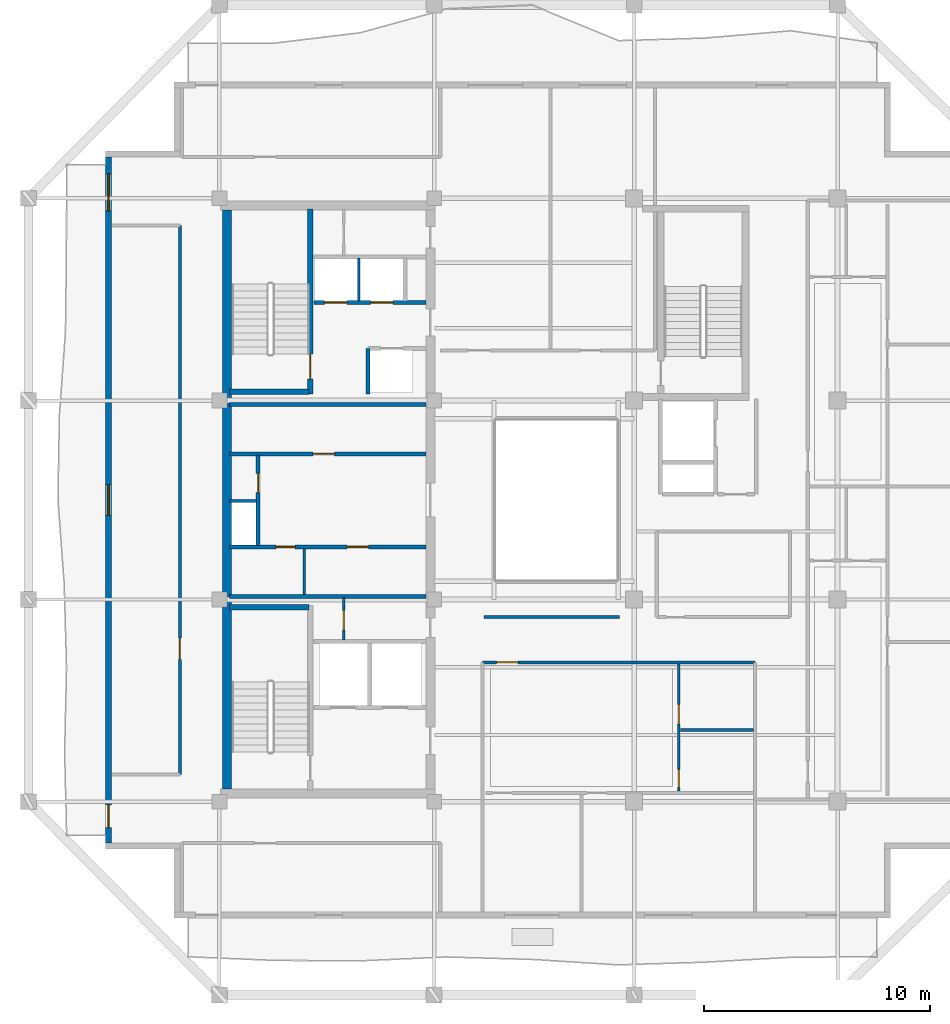
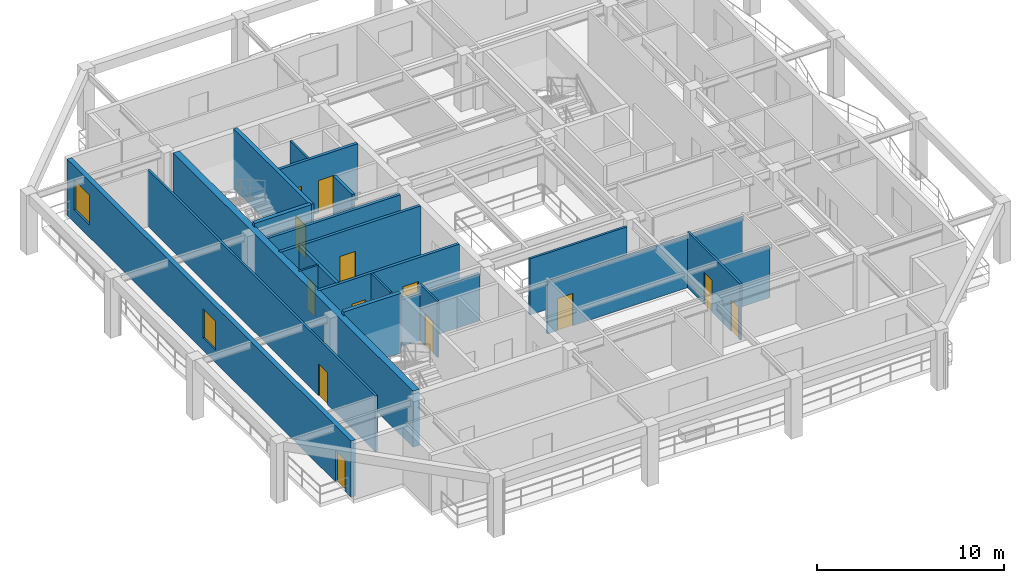
# One storey, part 3 of 10: 21 walls, 13 doors, 2 windows, 15 openings.
"""IFC4 building model written with IfcOpenShell, lengths in metres."""

import ifcopenshell
import ifcopenshell.guid

model = None  # the IFC model being written
_history = None  # IfcOwnerHistory: only IFC2X3 demands one
_inside = {}  # id of a spatial element -> (the spatial element, [elements in it])
_under = {}  # id of a project, library or spatial element -> (it, [spatial elements below it])
_declared = {}  # id of a project -> (the project, [libraries it declares])
_typed = {}  # id of a type object -> (the type object, [elements of that type])
_made_of = {}  # id of a material, layer set ... -> (it, [elements and type objects made of it])


def new_model(schema):
    """Start an empty IFC model of exactly this schema.

    Asked for "IFC4X3", IfcOpenShell would pick the latest addendum, in which some entities
    have other attributes; the version numbers below select the first issue.
    IFC2X3 requires an IfcOwnerHistory on every rooted entity: one is made here for all.
    """
    global model, _history
    if schema == "IFC4X3":
        model = ifcopenshell.file(schema_version=(4, 3, 0, 0))
    else:
        model = ifcopenshell.file(schema=schema)
    _inside.clear()
    _under.clear()
    _declared.clear()
    _typed.clear()
    _made_of.clear()
    _history = None
    if model.schema == "IFC2X3":
        org = make("IfcOrganization", Name="unknown")
        user = make(
            "IfcPersonAndOrganization",
            ThePerson=make("IfcPerson", FamilyName="unknown"),
            TheOrganization=org,
        )
        app = make(
            "IfcApplication",
            ApplicationDeveloper=org,
            Version="unknown",
            ApplicationFullName="unknown",
            ApplicationIdentifier="unknown",
        )
        _history = make(
            "IfcOwnerHistory",
            OwningUser=user,
            OwningApplication=app,
            ChangeAction="ADDED",
            CreationDate=0,
        )
    return model


def make(cls, **values):
    """One entity of the class cls with the attributes given. An attribute that is None is left unset."""
    return model.create_entity(
        cls, **{name: value for name, value in values.items() if value is not None}
    )


def rooted(cls, **values):
    """An entity with a GlobalId (a new one), such as an element, a storey or a relation."""
    return make(cls, GlobalId=ifcopenshell.guid.new(), OwnerHistory=_history, **values)


def si_unit(unit_type, name, prefix=None):
    """IfcSIUnit, for example si_unit("LENGTHUNIT", "METRE", prefix="MILLI")."""
    return make("IfcSIUnit", UnitType=unit_type, Prefix=prefix, Name=name)


def assignment(units):
    """IfcUnitAssignment: the units of a project."""
    return None if units is None else make("IfcUnitAssignment", Units=units)


def point(xyz):
    """IfcCartesianPoint."""
    return None if xyz is None else make("IfcCartesianPoint", Coordinates=xyz)


def direction(xyz):
    """IfcDirection."""
    return None if xyz is None else make("IfcDirection", DirectionRatios=xyz)


def frame(location, z_axis=None, x_axis=None):
    """IfcAxis2Placement3D, a coordinate frame: its origin and axes. An axis left out is left unset."""
    return make(
        "IfcAxis2Placement3D",
        Location=point(location),
        Axis=direction(z_axis),
        RefDirection=direction(x_axis),
    )


def frame_2d(location, x_axis=None):
    """IfcAxis2Placement2D, a coordinate frame in the plane: its origin and x axis."""
    return make(
        "IfcAxis2Placement2D", Location=point(location), RefDirection=direction(x_axis)
    )


def origin():
    """The frame at (0, 0, 0) with its axes left unset."""
    return frame((0.0, 0.0, 0.0))


def place(relative_to, where):
    """IfcLocalPlacement: puts the frame where relative to a parent placement (None: the world)."""
    return make(
        "IfcLocalPlacement", PlacementRelTo=relative_to, RelativePlacement=where
    )


def context(
    kind, dimensions, precision=None, world=None, true_north=None, identifier=None
):
    """IfcGeometricRepresentationContext, for example the 3D "Model" context."""
    return make(
        "IfcGeometricRepresentationContext",
        ContextIdentifier=identifier,
        ContextType=kind,
        CoordinateSpaceDimension=dimensions,
        Precision=precision,
        WorldCoordinateSystem=world,
        TrueNorth=true_north,
    )


def subcontext(parent, identifier, kind, view, scale=None):
    """IfcGeometricRepresentationSubContext, for example "Body" below "Model"."""
    return make(
        "IfcGeometricRepresentationSubContext",
        ContextIdentifier=identifier,
        ContextType=kind,
        ParentContext=parent,
        TargetScale=scale,
        TargetView=view,
    )


def project(units=None, contexts=None):
    """IfcProject with its units and contexts."""
    return rooted(
        "IfcProject",
        Name="project",
        RepresentationContexts=contexts,
        UnitsInContext=assignment(units),
    )


def spatial(cls, under=None, at=None, **own):
    """A site, building, storey or space (cls), placed at a placement, below another one or the project."""
    s = rooted(cls, ObjectPlacement=at, **own)
    if under is not None:
        _under.setdefault(under.id(), (under, []))[1].append(s)
    return s


def profile(cls, at=None, kind="AREA", **sizes):
    """A parametric profile (cls). Its sizes go by their IFC names, for example OverallWidth=200.0."""
    return make(cls, ProfileType=kind, Position=at, **sizes)


def rectangle(**sizes):
    """IfcRectangleProfileDef."""
    return profile("IfcRectangleProfileDef", **sizes)


def extrude(swept, where, along, depth):
    """IfcExtrudedAreaSolid: the profile swept, set in the frame where, extruded along a direction by depth."""
    return make(
        "IfcExtrudedAreaSolid",
        SweptArea=swept,
        Position=where,
        ExtrudedDirection=direction(along),
        Depth=depth,
    )


def shape(context_of_items, identifier, shape_type, items):
    """IfcShapeRepresentation: the items that make up one representation, for example the "Body"."""
    return make(
        "IfcShapeRepresentation",
        ContextOfItems=context_of_items,
        RepresentationIdentifier=identifier,
        RepresentationType=shape_type,
        Items=items,
    )


def material(Name=None, Category=None):
    """IfcMaterial."""
    return make("IfcMaterial", Name=Name, Category=Category)


def layer(
    of_material, thickness, ventilated=None, Name=None, Category=None, Priority=None
):
    """IfcMaterialLayer: one layer of a wall or slab, of a material (None: an air gap)."""
    return make(
        "IfcMaterialLayer",
        Material=of_material,
        LayerThickness=thickness,
        IsVentilated=ventilated,
        Name=Name,
        Category=Category,
        Priority=Priority,
    )


def layer_set(layers, Name=None):
    """IfcMaterialLayerSet."""
    return make("IfcMaterialLayerSet", MaterialLayers=layers, LayerSetName=Name)


def made_of(thing, what):
    """Note that an element or type object is made of a material, layer set ...; save() writes the relation."""
    if what is not None:
        _made_of.setdefault(what.id(), (what, []))[1].append(thing)
    return thing


def type_object(cls, material=None, **own):
    """A type object (cls), such as IfcWallType, which elements share."""
    return made_of(rooted(cls, **own), material)


def element(
    cls,
    number,
    at=None,
    inside=None,
    cuts=None,
    type_object=None,
    material=None,
    context=None,
    identifier="Body",
    shape_type=None,
    held_by="IfcProductDefinitionShape",
    body=None,
    shapes=None,
    **own,
):
    """One element of the class cls, such as IfcWall. Its Tag is "e" and its number.

    at: its placement. inside: the storey or other place that contains it. cuts: it is an
    opening in that element (IfcRelVoidsElement). A single representation is given by context,
    identifier, shape_type and body (its items); several are given by shapes. held_by: the class
    of the entity that holds the representations. save() writes the other relations.
    """
    e = rooted(cls, Tag="e%d" % number, ObjectPlacement=at, **own)
    if body is not None:
        shapes = [shape(context, identifier, shape_type, body)]
    if shapes is not None:
        e.Representation = make(held_by, Representations=shapes)
    if inside is not None:
        _inside.setdefault(inside.id(), (inside, []))[1].append(e)
    if cuts is not None:
        rooted(
            "IfcRelVoidsElement", RelatingBuildingElement=cuts, RelatedOpeningElement=e
        )
    if type_object is not None:
        _typed.setdefault(type_object.id(), (type_object, []))[1].append(e)
    return made_of(e, material)


def fill(opening, filler):
    """IfcRelFillsElement: the door or window that sits in an opening."""
    return rooted(
        "IfcRelFillsElement",
        RelatingOpeningElement=opening,
        RelatedBuildingElement=filler,
    )


def aggregate(whole, parts):
    """IfcRelAggregates: a whole, such as a stair, and the parts it consists of."""
    return rooted("IfcRelAggregates", RelatingObject=whole, RelatedObjects=parts)


def save(model, path):
    """Write the relations noted so far, then the file.

    IfcRelAggregates (storeys below a building ...), IfcRelContainedInSpatialStructure (elements
    in a storey), IfcRelDefinesByType, IfcRelAssociatesMaterial and IfcRelDeclares: one each for
    every whole, place, type object, material and project.
    """
    for whole, parts in _under.values():
        aggregate(whole, parts)
    for where, things in _inside.values():
        rooted(
            "IfcRelContainedInSpatialStructure",
            RelatedElements=things,
            RelatingStructure=where,
        )
    for kind, things in _typed.values():
        rooted("IfcRelDefinesByType", RelatedObjects=things, RelatingType=kind)
    for what, things in _made_of.values():
        rooted("IfcRelAssociatesMaterial", RelatedObjects=things, RelatingMaterial=what)
    for by, libraries in _declared.values():
        rooted("IfcRelDeclares", RelatingContext=by, RelatedDefinitions=libraries)
    model.write(path)


model = new_model("IFC4")

# Units and contexts
model_context = context("Model", 3, precision=1e-05, world=origin(), true_north=direction((0.0, 1.0)))
body_context = subcontext(model_context, "Body", "Model", "MODEL_VIEW")
ifc_project = project(units=[si_unit("LENGTHUNIT", "METRE"), si_unit("AREAUNIT", "SQUARE_METRE"), si_unit("VOLUMEUNIT", "CUBIC_METRE"), si_unit("PLANEANGLEUNIT", "RADIAN"), si_unit("MASSUNIT", "GRAM", prefix="KILO")], contexts=[model_context])

# Site, building, storey
site_placement = place(None, origin())
site = spatial("IfcSite", under=ifc_project, at=site_placement, CompositionType="ELEMENT")
building_placement = place(site_placement, origin())
building = spatial("IfcBuilding", under=site, at=building_placement, Name="Kundavana Baori Tower", CompositionType="ELEMENT")
storey_placement = place(building_placement, frame((0.0, 0.0, 299.89990234375)))
storey = spatial("IfcBuildingStorey", under=building, at=storey_placement, Name="L74", CompositionType="ELEMENT", Elevation=299.89990234375)

# Walls
ifc_material_1 = material(Name="Concrete C50/60", Category="concrete")
ifc_layer_1 = layer(ifc_material_1, 0.39990234375, Name="WL-CORE-400")
ifc_layer_set_1 = layer_set([ifc_layer_1], Name="Concrete C50/60")
wall_type_1 = type_object("IfcWallType", Name="WL-CORE-400", PredefinedType="SHEAR", material=ifc_layer_set_1)
wall_1_placement = place(storey_placement, frame((15.7900390625, 15.81005859375, 0.0), z_axis=(0.0, 0.0, 1.0), x_axis=(0.0, 1.0, 0.0)))
element("IfcWall", 1, at=wall_1_placement, inside=storey, type_object=wall_type_1, Name="L74 Offset Core West Shear Wall", PredefinedType="SHEAR", context=body_context, shape_type="SweptSolid", body=[
    extrude(rectangle(XDim=25.6298828125, YDim=0.39990234375, at=frame_2d((12.81494140625, 0.0))), origin(), (0.0, 0.0, 1.0), 3.66015625),
])
wall_2_placement = place(storey_placement, frame((15.89990234375, 23.860107421875, 0.0), z_axis=(0.0, 0.0, 1.0), x_axis=(1.0, 0.0, 0.0)))
element("IfcWall", 2, at=wall_2_placement, inside=storey, type_object=wall_type_1, Name="WL-L74-ST1-N", PredefinedType="SHEAR", context=body_context, shape_type="SweptSolid", body=[
    extrude(rectangle(XDim=3.52001953125, YDim=0.239990234375, at=frame_2d((1.760009765625, 0.0))), origin(), (0.0, 0.0, 1.0), 3.900146484375),
])

# Wall, opening, door
wall_3_placement = place(storey_placement, frame((19.4599609375, 33.300048828125, 0.0), z_axis=(0.0, 0.0, 1.0), x_axis=(0.0, 1.0, 0.0)))
wall_3 = element("IfcWall", 3, at=wall_3_placement, inside=storey, type_object=wall_type_1, Name="WL-L74-ST2-E", PredefinedType="SHEAR", context=body_context, shape_type="SweptSolid", body=[
    extrude(rectangle(XDim=8.179931640625, YDim=0.239990234375, at=frame_2d((4.08984375, 0.0))), origin(), (0.0, 0.0, 1.0), 3.900146484375),
])
opening_1_placement = place(wall_3_placement, frame((0.64990234375, 0.0, 0.0)))
opening_1 = element("IfcOpeningElement", 4, at=opening_1_placement, cuts=wall_3, Name="Opening FD-110", PredefinedType="OPENING", context=body_context, shape_type="SweptSolid", body=[
    extrude(rectangle(XDim=1.10009765625, YDim=2.10009765625, at=frame_2d((0.550048828125, 1.050048828125))), frame((0.0, 0.1298828125, 0.0), z_axis=(0.0, -1.0, 0.0), x_axis=(1.0, 0.0, 0.0)), (0.0, 0.0, 1.0), 0.260009765625),
])
ifc_material_2 = material(Name="Galvanised Steel Fire-Rated Door Leaf", Category="steel")
door_type_1 = type_object("IfcDoorType", Name="DR-FD120-1100", OperationType="NOTDEFINED", PredefinedType="DOOR", material=ifc_material_2)
door_1_placement = place(opening_1_placement, origin())
door_1 = element("IfcDoor", 5, at=door_1_placement, inside=storey, type_object=door_type_1, Name="DR-L74-ST2", OperationType="SINGLE_SWING_RIGHT", OverallHeight=2.10009765625, OverallWidth=1.10009765625, PredefinedType="DOOR", context=body_context, shape_type="SweptSolid", body=[
    extrude(rectangle(XDim=1.10009765625, YDim=2.10009765625, at=frame_2d((0.550048828125, 1.050048828125))), frame((0.0, 0.02490234375, 0.0), z_axis=(0.0, -1.0, 0.0), x_axis=(1.0, 0.0, 0.0)), (0.0, 0.0, 1.0), 0.050048828125),
])
fill(opening_1, door_1)

# Wall
wall_4_placement = place(storey_placement, frame((15.89990234375, 33.389892578125, 0.0), z_axis=(0.0, 0.0, 1.0), x_axis=(1.0, 0.0, 0.0)))
element("IfcWall", 6, at=wall_4_placement, inside=storey, type_object=wall_type_1, Name="WL-L74-ST2-S", PredefinedType="SHEAR", context=body_context, shape_type="SweptSolid", body=[
    extrude(rectangle(XDim=3.52001953125, YDim=0.239990234375, at=frame_2d((1.760009765625, 0.0))), origin(), (0.0, 0.0, 1.0), 3.900146484375),
])

# Wall, openings, door, windows
ifc_material_3 = material(Name="Red-Buff Dholpur Sandstone Cladding on Concrete C40/50", Category="masonry")
ifc_layer_2 = layer(ifc_material_3, 0.280029296875, Name="WL-EXT-SAND-280")
ifc_layer_set_2 = layer_set([ifc_layer_2], Name="Red-Buff Dholpur Sandstone Cladding on Concrete C40/50")
wall_type_2 = type_object("IfcWallType", Name="WL-EXT-SAND-280", PredefinedType="STANDARD", material=ifc_layer_set_2)
wall_5_placement = place(storey_placement, frame((10.5400390625, 43.77001953125, 0.0), z_axis=(0.0, 0.0, 1.0), x_axis=(0.0, -1.0, 0.0)))
wall_5 = element("IfcWall", 7, at=wall_5_placement, inside=storey, type_object=wall_type_2, Name="L74 Exterior Insulated Facade Wall 10", PredefinedType="STANDARD", context=body_context, shape_type="SweptSolid", body=[
    extrude(rectangle(XDim=30.340087890625, YDim=0.280029296875, at=frame_2d((15.169921875, 0.0))), origin(), (0.0, 0.0, 1.0), 3.66015625),
])
opening_2_placement = place(wall_5_placement, frame((28.669921875, 0.0, 0.0)))
opening_2 = element("IfcOpeningElement", 8, at=opening_2_placement, cuts=wall_5, Name="Opening BD-1", PredefinedType="OPENING", context=body_context, shape_type="SweptSolid", body=[
    extrude(rectangle(XDim=1.0, YDim=2.050048828125, at=frame_2d((0.5, 1.02490234375))), frame((0.0, 0.14990234375, 0.0), z_axis=(0.0, -1.0, 0.0), x_axis=(1.0, 0.0, 0.0)), (0.0, 0.0, 1.0), 0.300048828125),
])
opening_3_placement = place(wall_5_placement, frame((14.4951171875, 0.0, 0.800048828125)))
opening_3 = element("IfcOpeningElement", 9, at=opening_3_placement, cuts=wall_5, Name="Opening W-07", PredefinedType="OPENING", context=body_context, shape_type="SweptSolid", body=[
    extrude(rectangle(XDim=1.35009765625, YDim=1.89990234375, at=frame_2d((0.675048828125, 0.949951171875))), frame((0.0, 0.14990234375, 0.0), z_axis=(0.0, -1.0, 0.0), x_axis=(1.0, 0.0, 0.0)), (0.0, 0.0, 1.0), 0.300048828125),
])
opening_4_placement = place(wall_5_placement, frame((0.739990234375, 0.0, 0.800048828125)))
opening_4 = element("IfcOpeningElement", 10, at=opening_4_placement, cuts=wall_5, Name="Opening W-08", PredefinedType="OPENING", context=body_context, shape_type="SweptSolid", body=[
    extrude(rectangle(XDim=1.64990234375, YDim=1.949951171875, at=frame_2d((0.824951171875, 0.97509765625))), frame((0.0, 0.14990234375, 0.0), z_axis=(0.0, -1.0, 0.0), x_axis=(1.0, 0.0, 0.0)), (0.0, 0.0, 1.0), 0.300048828125),
])
ifc_material_4 = material(Name="Architectural Patinated Bronze Metalwork")
door_type_2 = type_object("IfcDoorType", Name="DR-EXT-LOG-1000", OperationType="NOTDEFINED", PredefinedType="DOOR", material=ifc_material_4)
door_2_placement = place(opening_2_placement, frame((1.0, 0.0, 0.0), z_axis=(0.0, 0.0, 1.0), x_axis=(-1.0, 0.0, 0.0)))
door_2 = element("IfcDoor", 11, at=door_2_placement, inside=storey, type_object=door_type_2, Name="L74 Loggia Balcony Access Door W", OperationType="SINGLE_SWING_RIGHT", OverallHeight=2.050048828125, OverallWidth=1.0, PredefinedType="DOOR", context=body_context, shape_type="SweptSolid", body=[
    extrude(rectangle(XDim=1.0, YDim=2.050048828125, at=frame_2d((0.5, 1.02490234375))), frame((0.0, 0.02490234375, 0.0), z_axis=(0.0, -1.0, 0.0), x_axis=(1.0, 0.0, 0.0)), (0.0, 0.0, 1.0), 0.050048828125),
])
fill(opening_2, door_2)
ifc_material_5 = material(Name="Double-Glazed Solar-Control Low-E Insulated Glass", Category="glass")
window_type_1 = type_object("IfcWindowType", Name="WIN-LOG-1350x1900", PartitioningType="SINGLE_PANEL", PredefinedType="WINDOW", material=ifc_material_5)
window_1_placement = place(opening_3_placement, origin())
window_1 = element("IfcWindow", 12, at=window_1_placement, inside=storey, type_object=window_type_1, Name="L74 Recessed Loggia Window W-2", OverallHeight=1.89990234375, OverallWidth=1.35009765625, PartitioningType="SINGLE_PANEL", PredefinedType="WINDOW", context=body_context, shape_type="SweptSolid", body=[
    extrude(rectangle(XDim=1.35009765625, YDim=1.89990234375, at=frame_2d((0.675048828125, 0.949951171875))), frame((0.0, 0.030029296875, 0.0), z_axis=(0.0, -1.0, 0.0), x_axis=(1.0, 0.0, 0.0)), (0.0, 0.0, 1.0), 0.06005859375),
])
fill(opening_3, window_1)
ifc_material_6 = material(Name="Double-Glazed Solar-Control Low-E Insulated Glass", Category="glass")
window_type_2 = type_object("IfcWindowType", Name="WIN-LOG-1650x1950", PartitioningType="SINGLE_PANEL", PredefinedType="WINDOW", material=ifc_material_6)
window_2_placement = place(opening_4_placement, origin())
window_2 = element("IfcWindow", 13, at=window_2_placement, inside=storey, type_object=window_type_2, Name="L74 Recessed Loggia Window W-3", OverallHeight=1.949951171875, OverallWidth=1.64990234375, PartitioningType="SINGLE_PANEL", PredefinedType="WINDOW", context=body_context, shape_type="SweptSolid", body=[
    extrude(rectangle(XDim=1.64990234375, YDim=1.949951171875, at=frame_2d((0.824951171875, 0.97509765625))), frame((0.0, 0.030029296875, 0.0), z_axis=(0.0, -1.0, 0.0), x_axis=(1.0, 0.0, 0.0)), (0.0, 0.0, 1.0), 0.06005859375),
])
fill(opening_4, window_2)

# Wall, opening, door
ifc_material_7 = material(Name="Acoustic Gypsum Plasterboard on Galvanised Steel Studs", Category="steel")
ifc_layer_3 = layer(ifc_material_7, 0.1201171875, Name="WL-PART-120")
ifc_layer_set_3 = layer_set([ifc_layer_3], Name="Acoustic Gypsum Plasterboard on Galvanised Steel Studs")
wall_type_3 = type_object("IfcWallType", Name="WL-PART-120", PredefinedType="PARTITIONING", material=ifc_layer_set_3)
wall_6_placement = place(storey_placement, frame((20.949951171875, 22.39990234375, 0.0), z_axis=(0.0, 0.0, 1.0), x_axis=(0.0, 1.0, 0.0)))
wall_6 = element("IfcWall", 14, at=wall_6_placement, inside=storey, type_object=wall_type_3, Name="WL-L74-CSMK-D2", PredefinedType="PARTITIONING", context=body_context, shape_type="SweptSolid", body=[
    extrude(rectangle(XDim=1.880126953125, YDim=0.1201171875, at=frame_2d((0.93994140625, 0.0))), origin(), (0.0, 0.0, 1.0), 3.66015625),
])
opening_5_placement = place(wall_6_placement, frame((0.449951171875, 0.0, 0.0)))
opening_5 = element("IfcOpeningElement", 15, at=opening_5_placement, cuts=wall_6, Name="Opening FD-085", PredefinedType="OPENING", context=body_context, shape_type="SweptSolid", body=[
    extrude(rectangle(XDim=0.85009765625, YDim=2.06005859375, at=frame_2d((0.425048828125, 1.030029296875))), frame((0.0, 0.070068359375, 0.0), z_axis=(0.0, -1.0, 0.0), x_axis=(1.0, 0.0, 0.0)), (0.0, 0.0, 1.0), 0.14013671875),
])
ifc_material_8 = material(Name="Galvanised Steel Fire-Rated Door Leaf", Category="steel")
door_type_3 = type_object("IfcDoorType", Name="DR-FD60-850", OperationType="NOTDEFINED", PredefinedType="DOOR", material=ifc_material_8)
door_3_placement = place(opening_5_placement, origin())
door_3 = element("IfcDoor", 16, at=door_3_placement, inside=storey, type_object=door_type_3, Name="DR-L74-CSMK1", OperationType="SINGLE_SWING_RIGHT", OverallHeight=2.06005859375, OverallWidth=0.85009765625, PredefinedType="DOOR", context=body_context, shape_type="SweptSolid", body=[
    extrude(rectangle(XDim=0.85009765625, YDim=2.06005859375, at=frame_2d((0.425048828125, 1.030029296875))), frame((0.0, 0.02490234375, 0.0), z_axis=(0.0, -1.0, 0.0), x_axis=(1.0, 0.0, 0.0)), (0.0, 0.0, 1.0), 0.050048828125),
])
fill(opening_5, door_3)

# Walls
wall_7_placement = place(storey_placement, frame((19.199951171875, 24.419921875, 0.0), z_axis=(0.0, 0.0, 1.0), x_axis=(0.0, 1.0, 0.0)))
element("IfcWall", 17, at=wall_7_placement, inside=storey, type_object=wall_type_3, Name="WL-L74-FRLOW-DIV", PredefinedType="PARTITIONING", context=body_context, shape_type="SweptSolid", body=[
    extrude(rectangle(XDim=2.02001953125, YDim=0.1201171875, at=frame_2d((1.010009765625, 0.0))), origin(), (0.0, 0.0, 1.0), 3.66015625),
])
wall_8_placement = place(storey_placement, frame((15.89990234375, 28.56005859375, 0.0), z_axis=(0.0, 0.0, 1.0), x_axis=(1.0, 0.0, 0.0)))
element("IfcWall", 18, at=wall_8_placement, inside=storey, type_object=wall_type_3, Name="WL-L74-RSRW-N", PredefinedType="PARTITIONING", context=body_context, shape_type="SweptSolid", body=[
    extrude(rectangle(XDim=1.2001953125, YDim=0.1201171875, at=frame_2d((0.60009765625, 0.0))), origin(), (0.0, 0.0, 1.0), 3.66015625),
])
wall_9_placement = place(storey_placement, frame((21.6201171875, 37.39990234375, 0.0), z_axis=(0.0, 0.0, 1.0), x_axis=(0.0, 1.0, 0.0)))
element("IfcWall", 19, at=wall_9_placement, inside=storey, type_object=wall_type_3, Name="WL-L74-HR-DIV1", PredefinedType="PARTITIONING", context=body_context, shape_type="SweptSolid", body=[
    extrude(rectangle(XDim=1.900146484375, YDim=0.1201171875, at=frame_2d((0.9501953125, 0.0))), origin(), (0.0, 0.0, 1.0), 3.66015625),
])

# Wall, opening, door
ifc_material_9 = material(Name="Acoustic Gypsum Plasterboard on Galvanised Steel Studs", Category="steel")
ifc_layer_4 = layer(ifc_material_9, 0.135009765625, Name="WL-PART-135")
ifc_layer_set_4 = layer_set([ifc_layer_4], Name="Acoustic Gypsum Plasterboard on Galvanised Steel Studs")
wall_type_4 = type_object("IfcWallType", Name="WL-PART-135", PredefinedType="PARTITIONING", material=ifc_layer_set_4)
wall_10_placement = place(storey_placement, frame((27.080078125, 21.419921875, 0.0), z_axis=(0.0, 0.0, 1.0), x_axis=(1.0, 0.0, 0.0)))
wall_10 = element("IfcWall", 20, at=wall_10_placement, inside=storey, type_object=wall_type_4, Name="WL-L74-RS", PredefinedType="PARTITIONING", context=body_context, shape_type="SweptSolid", body=[
    extrude(rectangle(XDim=12.06982421875, YDim=0.135009765625, at=frame_2d((6.034912109375, 0.0))), origin(), (0.0, 0.0, 1.0), 3.360107421875),
])
opening_6_placement = place(wall_10_placement, frame((0.6298828125, 0.0, 0.0)))
opening_6 = element("IfcOpeningElement", 21, at=opening_6_placement, cuts=wall_10, Name="Opening FD-095", PredefinedType="OPENING", context=body_context, shape_type="SweptSolid", body=[
    extrude(rectangle(XDim=0.949951171875, YDim=2.10009765625, at=frame_2d((0.47509765625, 1.050048828125))), frame((0.0, 0.07763671875, 0.0), z_axis=(0.0, -1.0, 0.0), x_axis=(1.0, 0.0, 0.0)), (0.0, 0.0, 1.0), 0.155029296875),
])
ifc_material_10 = material(Name="Engineered Teak Fire-Rated Timber Door Leaf", Category="wood")
door_type_4 = type_object("IfcDoorType", Name="DR-FD60-950", OperationType="NOTDEFINED", PredefinedType="DOOR", material=ifc_material_10)
door_4_placement = place(opening_6_placement, frame((0.949951171875, 0.0, 0.0), z_axis=(0.0, 0.0, 1.0), x_axis=(-1.0, 0.0, 0.0)))
door_4 = element("IfcDoor", 22, at=door_4_placement, inside=storey, type_object=door_type_4, Name="DR-L74-S1-ENT", OperationType="SINGLE_SWING_RIGHT", OverallHeight=2.10009765625, OverallWidth=0.949951171875, PredefinedType="DOOR", context=body_context, shape_type="SweptSolid", body=[
    extrude(rectangle(XDim=0.949951171875, YDim=2.10009765625, at=frame_2d((0.47509765625, 1.050048828125))), frame((0.0, 0.02490234375, 0.0), z_axis=(0.0, -1.0, 0.0), x_axis=(1.0, 0.0, 0.0)), (0.0, 0.0, 1.0), 0.050048828125),
])
fill(opening_6, door_4)

# Wall
wall_11_placement = place(storey_placement, frame((27.14990234375, 23.419921875, 0.0), z_axis=(0.0, 0.0, 1.0), x_axis=(1.0, 0.0, 0.0)))
element("IfcWall", 23, at=wall_11_placement, inside=storey, type_object=wall_type_4, Name="WL-L74-RST", PredefinedType="PARTITIONING", context=body_context, shape_type="SweptSolid", body=[
    extrude(rectangle(XDim=6.0, YDim=0.135009765625, at=frame_2d((3.0, 0.0))), origin(), (0.0, 0.0, 1.0), 3.66015625),
])

# Wall, opening, door
wall_12_placement = place(storey_placement, frame((13.699951171875, 16.449951171875, 0.0), z_axis=(0.0, 0.0, 1.0), x_axis=(0.0, 1.0, 0.0)))
wall_12 = element("IfcWall", 24, at=wall_12_placement, inside=storey, type_object=wall_type_4, Name="WL-L74-RW", PredefinedType="PARTITIONING", context=body_context, shape_type="SweptSolid", body=[
    extrude(rectangle(XDim=24.300048828125, YDim=0.135009765625, at=frame_2d((12.14990234375, 0.0))), origin(), (0.0, 0.0, 1.0), 3.66015625),
])
opening_7_placement = place(wall_12_placement, frame((5.10009765625, 0.0, 0.0)))
opening_7 = element("IfcOpeningElement", 25, at=opening_7_placement, cuts=wall_12, Name="Opening ID-095", PredefinedType="OPENING", context=body_context, shape_type="SweptSolid", body=[
    extrude(rectangle(XDim=0.949951171875, YDim=2.080078125, at=frame_2d((0.47509765625, 1.0400390625))), frame((0.0, 0.07763671875, 0.0), z_axis=(0.0, -1.0, 0.0), x_axis=(1.0, 0.0, 0.0)), (0.0, 0.0, 1.0), 0.155029296875),
])
ifc_material_11 = material(Name="Engineered Teak Solid-Core Timber Veneer", Category="wood")
door_type_5 = type_object("IfcDoorType", Name="DR-INT-950", OperationType="NOTDEFINED", PredefinedType="DOOR", material=ifc_material_11)
door_5_placement = place(opening_7_placement, origin())
door_5 = element("IfcDoor", 26, at=door_5_placement, inside=storey, type_object=door_type_5, Name="DR-L74-RLNGW", OperationType="SINGLE_SWING_LEFT", OverallHeight=2.080078125, OverallWidth=0.949951171875, PredefinedType="DOOR", context=body_context, shape_type="SweptSolid", body=[
    extrude(rectangle(XDim=0.949951171875, YDim=2.080078125, at=frame_2d((0.47509765625, 1.0400390625))), frame((0.0, 0.02490234375, 0.0), z_axis=(0.0, -1.0, 0.0), x_axis=(1.0, 0.0, 0.0)), (0.0, 0.0, 1.0), 0.050048828125),
])
fill(opening_7, door_5)

# Wall, openings, doors
ifc_material_12 = material(Name="Autoclaved Aerated Concrete Blockwork Masonry", Category="masonry")
ifc_layer_5 = layer(ifc_material_12, 0.179931640625, Name="WL-SHAFT-180")
ifc_layer_set_5 = layer_set([ifc_layer_5], Name="Autoclaved Aerated Concrete Blockwork Masonry")
wall_type_5 = type_object("IfcWallType", Name="WL-SHAFT-180", PredefinedType="SOLIDWALL", material=ifc_layer_set_5)
wall_13_placement = place(storey_placement, frame((15.89990234375, 26.52001953125, 0.0), z_axis=(0.0, 0.0, 1.0), x_axis=(1.0, 0.0, 0.0)))
wall_13 = element("IfcWall", 27, at=wall_13_placement, inside=storey, type_object=wall_type_5, Name="WL-L74-LPLOW-N", PredefinedType="SOLIDWALL", context=body_context, shape_type="SweptSolid", body=[
    extrude(rectangle(XDim=8.68017578125, YDim=0.179931640625, at=frame_2d((4.340087890625, 0.0))), origin(), (0.0, 0.0, 1.0), 3.66015625),
])
opening_8_placement = place(wall_13_placement, frame((2.050048828125, 0.0, 0.0)))
opening_8 = element("IfcOpeningElement", 28, at=opening_8_placement, cuts=wall_13, Name="Opening FD-085", PredefinedType="OPENING", context=body_context, shape_type="SweptSolid", body=[
    extrude(rectangle(XDim=0.85009765625, YDim=2.06005859375, at=frame_2d((0.425048828125, 1.030029296875))), frame((0.0, 0.10009765625, 0.0), z_axis=(0.0, -1.0, 0.0), x_axis=(1.0, 0.0, 0.0)), (0.0, 0.0, 1.0), 0.199951171875),
])
opening_9_placement = place(wall_13_placement, frame((5.199951171875, 0.0, 0.0)))
opening_9 = element("IfcOpeningElement", 29, at=opening_9_placement, cuts=wall_13, Name="Opening FD-095", PredefinedType="OPENING", context=body_context, shape_type="SweptSolid", body=[
    extrude(rectangle(XDim=0.949951171875, YDim=2.10009765625, at=frame_2d((0.47509765625, 1.050048828125))), frame((0.0, 0.10009765625, 0.0), z_axis=(0.0, -1.0, 0.0), x_axis=(1.0, 0.0, 0.0)), (0.0, 0.0, 1.0), 0.199951171875),
])
door_6_placement = place(opening_8_placement, origin())
door_6 = element("IfcDoor", 30, at=door_6_placement, inside=storey, type_object=door_type_3, Name="DR-L74-FRLOW1", OperationType="SINGLE_SWING_LEFT", OverallHeight=2.06005859375, OverallWidth=0.85009765625, PredefinedType="DOOR", context=body_context, shape_type="SweptSolid", body=[
    extrude(rectangle(XDim=0.85009765625, YDim=2.06005859375, at=frame_2d((0.425048828125, 1.030029296875))), frame((0.0, 0.02490234375, 0.0), z_axis=(0.0, -1.0, 0.0), x_axis=(1.0, 0.0, 0.0)), (0.0, 0.0, 1.0), 0.050048828125),
])
fill(opening_8, door_6)
door_7_placement = place(opening_9_placement, origin())
door_7 = element("IfcDoor", 31, at=door_7_placement, inside=storey, type_object=door_type_4, Name="DR-L74-FRLOW2", OperationType="SINGLE_SWING_RIGHT", OverallHeight=2.10009765625, OverallWidth=0.949951171875, PredefinedType="DOOR", context=body_context, shape_type="SweptSolid", body=[
    extrude(rectangle(XDim=0.949951171875, YDim=2.10009765625, at=frame_2d((0.47509765625, 1.050048828125))), frame((0.0, 0.02490234375, 0.0), z_axis=(0.0, -1.0, 0.0), x_axis=(1.0, 0.0, 0.0)), (0.0, 0.0, 1.0), 0.050048828125),
])
fill(opening_9, door_7)

# Wall
wall_14_placement = place(storey_placement, frame((15.89990234375, 24.330078125, 0.0), z_axis=(0.0, 0.0, 1.0), x_axis=(1.0, 0.0, 0.0)))
element("IfcWall", 32, at=wall_14_placement, inside=storey, type_object=wall_type_5, Name="WL-L74-LPLOW-S", PredefinedType="SOLIDWALL", context=body_context, shape_type="SweptSolid", body=[
    extrude(rectangle(XDim=8.68017578125, YDim=0.179931640625, at=frame_2d((4.340087890625, 0.0))), origin(), (0.0, 0.0, 1.0), 3.06005859375),
])

# Wall, opening, door
wall_15_placement = place(storey_placement, frame((17.159912109375, 26.580078125, 0.0), z_axis=(0.0, 0.0, 1.0), x_axis=(0.0, 1.0, 0.0)))
wall_15 = element("IfcWall", 33, at=wall_15_placement, inside=storey, type_object=wall_type_5, Name="WL-L74-RSRW-E", PredefinedType="SOLIDWALL", context=body_context, shape_type="SweptSolid", body=[
    extrude(rectangle(XDim=4.02001953125, YDim=0.179931640625, at=frame_2d((2.010009765625, 0.0))), origin(), (0.0, 0.0, 1.0), 3.66015625),
])
opening_10_placement = place(wall_15_placement, frame((2.35009765625, 0.0, 0.0)))
opening_10 = element("IfcOpeningElement", 34, at=opening_10_placement, cuts=wall_15, Name="Opening FD-085", PredefinedType="OPENING", context=body_context, shape_type="SweptSolid", body=[
    extrude(rectangle(XDim=0.85009765625, YDim=2.06005859375, at=frame_2d((0.425048828125, 1.030029296875))), frame((0.0, 0.10009765625, 0.0), z_axis=(0.0, -1.0, 0.0), x_axis=(1.0, 0.0, 0.0)), (0.0, 0.0, 1.0), 0.199951171875),
])
door_8_placement = place(opening_10_placement, origin())
door_8 = element("IfcDoor", 35, at=door_8_placement, inside=storey, type_object=door_type_3, Name="DR-L74-CLN", OperationType="SINGLE_SWING_RIGHT", OverallHeight=2.06005859375, OverallWidth=0.85009765625, PredefinedType="DOOR", context=body_context, shape_type="SweptSolid", body=[
    extrude(rectangle(XDim=0.85009765625, YDim=2.06005859375, at=frame_2d((0.425048828125, 1.030029296875))), frame((0.0, 0.02490234375, 0.0), z_axis=(0.0, -1.0, 0.0), x_axis=(1.0, 0.0, 0.0)), (0.0, 0.0, 1.0), 0.050048828125),
])
fill(opening_10, door_8)

wall_16_placement = place(storey_placement, frame((15.89990234375, 30.639892578125, 0.0), z_axis=(0.0, 0.0, 1.0), x_axis=(1.0, 0.0, 0.0)))
wall_16 = element("IfcWall", 36, at=wall_16_placement, inside=storey, type_object=wall_type_5, Name="WL-L74-LPMID-S", PredefinedType="SOLIDWALL", context=body_context, shape_type="SweptSolid", body=[
    extrude(rectangle(XDim=8.68017578125, YDim=0.179931640625, at=frame_2d((4.340087890625, 0.0))), origin(), (0.0, 0.0, 1.0), 3.66015625),
])
opening_11_placement = place(wall_16_placement, frame((3.699951171875, 0.0, 0.0)))
opening_11 = element("IfcOpeningElement", 37, at=opening_11_placement, cuts=wall_16, Name="Opening FD-095", PredefinedType="OPENING", context=body_context, shape_type="SweptSolid", body=[
    extrude(rectangle(XDim=0.949951171875, YDim=2.10009765625, at=frame_2d((0.47509765625, 1.050048828125))), frame((0.0, 0.10009765625, 0.0), z_axis=(0.0, -1.0, 0.0), x_axis=(1.0, 0.0, 0.0)), (0.0, 0.0, 1.0), 0.199951171875),
])
door_9_placement = place(opening_11_placement, frame((0.949951171875, 0.0, 0.0), z_axis=(0.0, 0.0, 1.0), x_axis=(-1.0, 0.0, 0.0)))
door_9 = element("IfcDoor", 38, at=door_9_placement, inside=storey, type_object=door_type_4, Name="DR-L74-FRMID1", OperationType="SINGLE_SWING_RIGHT", OverallHeight=2.10009765625, OverallWidth=0.949951171875, PredefinedType="DOOR", context=body_context, shape_type="SweptSolid", body=[
    extrude(rectangle(XDim=0.949951171875, YDim=2.10009765625, at=frame_2d((0.47509765625, 1.050048828125))), frame((0.0, 0.02490234375, 0.0), z_axis=(0.0, -1.0, 0.0), x_axis=(1.0, 0.0, 0.0)), (0.0, 0.0, 1.0), 0.050048828125),
])
fill(opening_11, door_9)

# Walls
wall_17_placement = place(storey_placement, frame((15.89990234375, 32.820068359375, 0.0), z_axis=(0.0, 0.0, 1.0), x_axis=(1.0, 0.0, 0.0)))
element("IfcWall", 39, at=wall_17_placement, inside=storey, type_object=wall_type_5, Name="WL-L74-LPMID-N", PredefinedType="SOLIDWALL", context=body_context, shape_type="SweptSolid", body=[
    extrude(rectangle(XDim=8.68017578125, YDim=0.179931640625, at=frame_2d((4.340087890625, 0.0))), origin(), (0.0, 0.0, 1.0), 3.06005859375),
])
wall_18_placement = place(storey_placement, frame((22.02001953125, 33.300048828125, 0.0), z_axis=(0.0, 0.0, 1.0), x_axis=(0.0, 1.0, 0.0)))
element("IfcWall", 40, at=wall_18_placement, inside=storey, type_object=wall_type_5, Name="WL-L74-LP11-W", PredefinedType="SOLIDWALL", context=body_context, shape_type="SweptSolid", body=[
    extrude(rectangle(XDim=2.010009765625, YDim=0.179931640625, at=frame_2d((1.0048828125, 0.0))), origin(), (0.0, 0.0, 1.0), 3.66015625),
])

# Wall, openings, doors
wall_19_placement = place(storey_placement, frame((19.639892578125, 37.340087890625, 0.0), z_axis=(0.0, 0.0, 1.0), x_axis=(1.0, 0.0, 0.0)))
wall_19 = element("IfcWall", 41, at=wall_19_placement, inside=storey, type_object=wall_type_5, Name="WL-L74-HRLOB-N", PredefinedType="SOLIDWALL", context=body_context, shape_type="SweptSolid", body=[
    extrude(rectangle(XDim=4.940185546875, YDim=0.179931640625, at=frame_2d((2.47021484375, 0.0))), origin(), (0.0, 0.0, 1.0), 3.66015625),
])
opening_12_placement = place(wall_19_placement, frame((0.449951171875, 0.0, 0.0)))
opening_12 = element("IfcOpeningElement", 42, at=opening_12_placement, cuts=wall_19, Name="Opening LD-100", PredefinedType="OPENING", context=body_context, shape_type="SweptSolid", body=[
    extrude(rectangle(XDim=1.0, YDim=2.10009765625, at=frame_2d((0.5, 1.050048828125))), frame((0.0, 0.10009765625, 0.0), z_axis=(0.0, -1.0, 0.0), x_axis=(1.0, 0.0, 0.0)), (0.0, 0.0, 1.0), 0.199951171875),
])
opening_13_placement = place(wall_19_placement, frame((2.5, 0.0, 0.0)))
opening_13 = element("IfcOpeningElement", 43, at=opening_13_placement, cuts=wall_19, Name="Opening LD-100", PredefinedType="OPENING", context=body_context, shape_type="SweptSolid", body=[
    extrude(rectangle(XDim=1.0, YDim=2.10009765625, at=frame_2d((0.5, 1.050048828125))), frame((0.0, 0.10009765625, 0.0), z_axis=(0.0, -1.0, 0.0), x_axis=(1.0, 0.0, 0.0)), (0.0, 0.0, 1.0), 0.199951171875),
])
ifc_material_13 = material(Name="Galvanised Steel Fire-Rated Door Leaf", Category="steel")
door_type_6 = type_object("IfcDoorType", Name="DR-SLIDE-LD1000", OperationType="NOTDEFINED", PredefinedType="DOOR", material=ifc_material_13)
door_10_placement = place(opening_12_placement, frame((1.0, 0.0, 0.0), z_axis=(0.0, 0.0, 1.0), x_axis=(-1.0, 0.0, 0.0)))
door_10 = element("IfcDoor", 44, at=door_10_placement, inside=storey, type_object=door_type_6, Name="DR-L74-LD-LP09", OperationType="DOUBLE_DOOR_SLIDING", OverallHeight=2.10009765625, OverallWidth=1.0, PredefinedType="DOOR", context=body_context, shape_type="SweptSolid", body=[
    extrude(rectangle(XDim=1.0, YDim=2.10009765625, at=frame_2d((0.5, 1.050048828125))), frame((0.0, 0.02490234375, 0.0), z_axis=(0.0, -1.0, 0.0), x_axis=(1.0, 0.0, 0.0)), (0.0, 0.0, 1.0), 0.050048828125),
])
fill(opening_12, door_10)
door_11_placement = place(opening_13_placement, frame((1.0, 0.0, 0.0), z_axis=(0.0, 0.0, 1.0), x_axis=(-1.0, 0.0, 0.0)))
door_11 = element("IfcDoor", 45, at=door_11_placement, inside=storey, type_object=door_type_6, Name="DR-L74-LD-LP10", OperationType="DOUBLE_DOOR_SLIDING", OverallHeight=2.10009765625, OverallWidth=1.0, PredefinedType="DOOR", context=body_context, shape_type="SweptSolid", body=[
    extrude(rectangle(XDim=1.0, YDim=2.10009765625, at=frame_2d((0.5, 1.050048828125))), frame((0.0, 0.02490234375, 0.0), z_axis=(0.0, -1.0, 0.0), x_axis=(1.0, 0.0, 0.0)), (0.0, 0.0, 1.0), 0.050048828125),
])
fill(opening_13, door_11)

ifc_material_14 = material(Name="Autoclaved Aerated Concrete Blockwork Masonry", Category="masonry")
ifc_layer_6 = layer(ifc_material_14, 0.125, Name="WL-WET-120")
ifc_layer_set_6 = layer_set([ifc_layer_6], Name="Autoclaved Aerated Concrete Blockwork Masonry")
wall_type_6 = type_object("IfcWallType", Name="WL-WET-120", PredefinedType="PLUMBINGWALL", material=ifc_layer_set_6)
wall_20_placement = place(storey_placement, frame((35.77001953125, 15.720947265625, 0.0), z_axis=(0.0, 0.0, 1.0), x_axis=(0.0, 1.0, 0.0)))
wall_20 = element("IfcWall", 46, at=wall_20_placement, inside=storey, type_object=wall_type_6, Name="WL-L74-S1-KT", PredefinedType="PLUMBINGWALL", context=body_context, shape_type="SweptSolid", body=[
    extrude(rectangle(XDim=5.619140625, YDim=0.125, at=frame_2d((2.8095703125, 0.0))), origin(), (0.0, 0.0, 1.0), 3.66015625),
])
opening_14_placement = place(wall_20_placement, frame((0.159912109375, 0.0, 0.0)))
opening_14 = element("IfcOpeningElement", 47, at=opening_14_placement, cuts=wall_20, Name="Opening WD-080", PredefinedType="OPENING", context=body_context, shape_type="SweptSolid", body=[
    extrude(rectangle(XDim=0.800048828125, YDim=2.050048828125, at=frame_2d((0.39990234375, 1.02490234375))), frame((0.0, 0.072509765625, 0.0), z_axis=(0.0, -1.0, 0.0), x_axis=(1.0, 0.0, 0.0)), (0.0, 0.0, 1.0), 0.14501953125),
])
opening_15_placement = place(wall_20_placement, frame((2.97705078125, 0.0, 0.0)))
opening_15 = element("IfcOpeningElement", 48, at=opening_15_placement, cuts=wall_20, Name="Opening ID-085", PredefinedType="OPENING", context=body_context, shape_type="SweptSolid", body=[
    extrude(rectangle(XDim=0.85009765625, YDim=2.080078125, at=frame_2d((0.425048828125, 1.0400390625))), frame((0.0, 0.072509765625, 0.0), z_axis=(0.0, -1.0, 0.0), x_axis=(1.0, 0.0, 0.0)), (0.0, 0.0, 1.0), 0.14501953125),
])
ifc_material_15 = material(Name="Engineered Teak Solid-Core Timber Veneer", Category="wood")
door_type_7 = type_object("IfcDoorType", Name="DR-INT-850", OperationType="NOTDEFINED", PredefinedType="DOOR", material=ifc_material_15)
door_12_placement = place(opening_15_placement, origin())
door_12 = element("IfcDoor", 49, at=door_12_placement, inside=storey, type_object=door_type_7, Name="DR-L74-S1-KT", OperationType="SINGLE_SWING_RIGHT", OverallHeight=2.080078125, OverallWidth=0.85009765625, PredefinedType="DOOR", context=body_context, shape_type="SweptSolid", body=[
    extrude(rectangle(XDim=0.85009765625, YDim=2.080078125, at=frame_2d((0.425048828125, 1.0400390625))), frame((0.0, 0.02490234375, 0.0), z_axis=(0.0, -1.0, 0.0), x_axis=(1.0, 0.0, 0.0)), (0.0, 0.0, 1.0), 0.050048828125),
])
fill(opening_15, door_12)
ifc_material_16 = material(Name="Engineered Teak Solid-Core Timber Veneer", Category="wood")
door_type_8 = type_object("IfcDoorType", Name="DR-WET-800", OperationType="NOTDEFINED", PredefinedType="DOOR", material=ifc_material_16)
door_13_placement = place(opening_14_placement, origin())
door_13 = element("IfcDoor", 50, at=door_13_placement, inside=storey, type_object=door_type_8, Name="DR-L74-S1-BT", OperationType="SINGLE_SWING_LEFT", OverallHeight=2.050048828125, OverallWidth=0.800048828125, PredefinedType="DOOR", context=body_context, shape_type="SweptSolid", body=[
    extrude(rectangle(XDim=0.800048828125, YDim=2.050048828125, at=frame_2d((0.39990234375, 1.02490234375))), frame((0.0, 0.02490234375, 0.0), z_axis=(0.0, -1.0, 0.0), x_axis=(1.0, 0.0, 0.0)), (0.0, 0.0, 1.0), 0.050048828125),
])
fill(opening_14, door_13)

# Wall
wall_21_placement = place(storey_placement, frame((35.85009765625, 18.41796875, 0.0), z_axis=(0.0, 0.0, 1.0), x_axis=(1.0, 0.0, 0.0)))
element("IfcWall", 51, at=wall_21_placement, inside=storey, type_object=wall_type_6, Name="WL-L74-S1-BT", PredefinedType="PLUMBINGWALL", context=body_context, shape_type="SweptSolid", body=[
    extrude(rectangle(XDim=3.219970703125, YDim=0.125, at=frame_2d((1.60986328125, 0.0))), origin(), (0.0, 0.0, 1.0), 3.360107421875),
])

save(model, "model.ifc")
